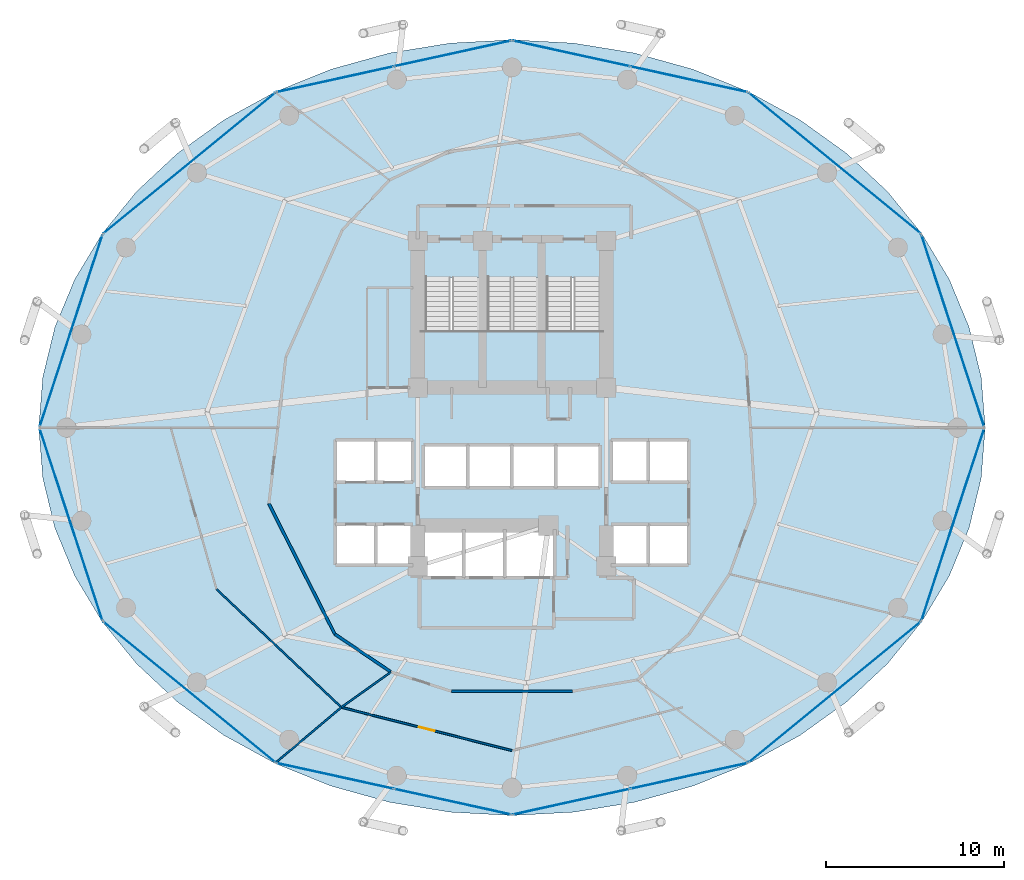
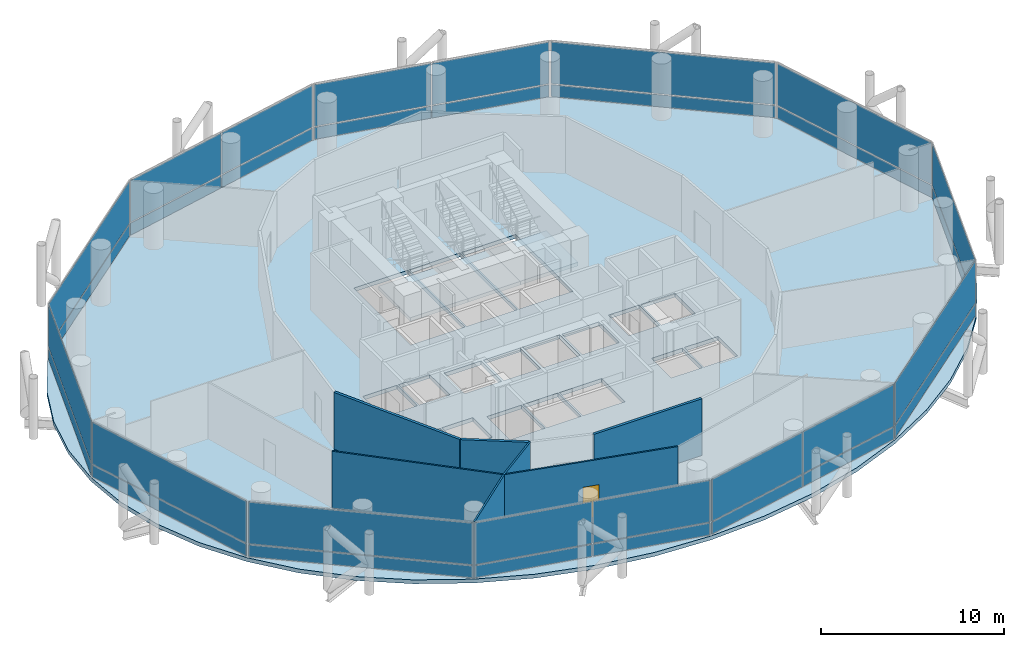
# One storey, part 20 of 24: 32 plates, 7 walls, 4 slabs, 1 door, 1 opening, 15 elements without a shape of their own.
"""IFC4 building model written with IfcOpenShell, lengths in metres."""

from ifc_helpers import new_model, si_unit, direction, frame, frame_2d, origin, origin_2d, place, context, subcontext, project, spatial, polyline, rectangle, outline, extrude, material, layer, layer_set, type_object, element, fill, aggregate, save


model = new_model("IFC4")

# Units and contexts
model_context = context("Model", 3, precision=1e-05, world=origin(), true_north=direction((0.0, 1.0)))
body_context = subcontext(model_context, "Body", "Model", "MODEL_VIEW")
ifc_project = project(units=[si_unit("LENGTHUNIT", "METRE"), si_unit("AREAUNIT", "SQUARE_METRE"), si_unit("VOLUMEUNIT", "CUBIC_METRE"), si_unit("PLANEANGLEUNIT", "RADIAN"), si_unit("MASSUNIT", "GRAM", prefix="KILO")], contexts=[model_context])

# Site, building, storey
site_placement = place(None, origin())
site = spatial("IfcSite", under=ifc_project, at=site_placement, CompositionType="ELEMENT")
building_placement = place(site_placement, origin())
building = spatial("IfcBuilding", under=site, at=building_placement, Name="Nuhasar Tower", CompositionType="ELEMENT")
storey_placement = place(building_placement, frame((0.0, 0.0, 41.25)))
storey = spatial("IfcBuildingStorey", under=building, at=storey_placement, Name="L09", CompositionType="ELEMENT", Elevation=41.25)

# Curtain wall, plate
ifc_material_1 = material(Name="Aluminium 6063-T6", Category="aluminium")
ifc_layer_1 = layer(ifc_material_1, 0.199951171875)
ifc_layer_set_1 = layer_set([ifc_layer_1], Name="Aluminium 6063-T6")
curtain_wall_type = type_object("IfcCurtainWallType", Name="CW-Z1-OFF", PredefinedType="NOTDEFINED", material=ifc_layer_set_1)
curtain_wall_1_placement = place(storey_placement, origin())
curtain_wall_1 = element("IfcCurtainWall", 1, at=curtain_wall_1_placement, inside=storey, type_object=curtain_wall_type, Name="L09 Unitised Curtain Wall 01", PredefinedType="NOTDEFINED")
ifc_material_2 = material(Name="Glass Double Low-E", Category="glass")
ifc_layer_2 = layer(ifc_material_2, 0.028076171875)
ifc_layer_set_2 = layer_set([ifc_layer_2], Name="Glass Double Low-E")
plate_type_1 = type_object("IfcPlateType", Name="CW-PANEL-GLZ", PredefinedType="CURTAIN_PANEL", material=ifc_layer_set_2)
plate_1_placement = place(storey_placement, frame((63.781005859375, 32.239990234375, 0.9326171875), z_axis=(0.0, 0.0, 1.0), x_axis=(-0.310823849997, 0.950467534571, 0.0)))
plate_1 = element("IfcPlate", 2, at=plate_1_placement, type_object=plate_type_1, Name="CW-Z1 panel 1.2", PredefinedType="CURTAIN_PANEL", context=body_context, shape_type="SweptSolid", body=[
    extrude(rectangle(XDim=11.31689453125, YDim=0.028076171875, at=origin_2d()), origin(), (0.0, 0.0, 1.0), 2.79248046875),
])

curtain_wall_2_placement = place(storey_placement, origin())
curtain_wall_2 = element("IfcCurtainWall", 3, at=curtain_wall_2_placement, inside=storey, type_object=curtain_wall_type, Name="L09 Unitised Curtain Wall 02", PredefinedType="NOTDEFINED")
plate_2_placement = place(storey_placement, frame((57.14111328125, 41.66259765625, 0.9326171875), z_axis=(0.0, 0.0, 1.0), x_axis=(-0.773542364946, 0.633744593376, 0.0)))
plate_2 = element("IfcPlate", 4, at=plate_2_placement, type_object=plate_type_1, Name="CW-Z1 panel 1.2", PredefinedType="CURTAIN_PANEL", context=body_context, shape_type="SweptSolid", body=[
    extrude(rectangle(XDim=12.438232421875, YDim=0.028076171875, at=origin_2d()), origin(), (0.0, 0.0, 1.0), 2.79248046875),
])

# Curtain wall, plates
curtain_wall_3_placement = place(storey_placement, origin())
curtain_wall_3 = element("IfcCurtainWall", 5, at=curtain_wall_3_placement, inside=storey, type_object=curtain_wall_type, Name="L09 Unitised Curtain Wall 03", PredefinedType="NOTDEFINED")
plate_3_placement = place(storey_placement, frame((48.944091796875, 46.377197265625, 0.9326171875), z_axis=(0.0, 0.0, 1.0), x_axis=(-0.976746221544, 0.214398737637, 0.0)))
plate_3 = element("IfcPlate", 6, at=plate_3_placement, type_object=plate_type_1, Name="CW-Z1 panel 1.2", PredefinedType="CURTAIN_PANEL", context=body_context, shape_type="SweptSolid", body=[
    extrude(rectangle(XDim=6.70068359375, YDim=0.028076171875, at=origin_2d()), origin(), (0.0, 0.0, 1.0), 2.79248046875),
])
plate_4_placement = place(storey_placement, frame((42.3359375, 47.827880859375, 0.9326171875), z_axis=(0.0, 0.0, 1.0), x_axis=(-0.976746221544, 0.214398737637, 0.0)))
plate_4 = element("IfcPlate", 7, at=plate_4_placement, type_object=plate_type_1, Name="CW-Z1 panel 2.2", PredefinedType="CURTAIN_PANEL", context=body_context, shape_type="SweptSolid", body=[
    extrude(rectangle(XDim=6.70068359375, YDim=0.028076171875, at=origin_2d()), origin(), (0.0, 0.0, 1.0), 2.79248046875),
])

curtain_wall_4_placement = place(storey_placement, origin())
curtain_wall_4 = element("IfcCurtainWall", 8, at=curtain_wall_4_placement, inside=storey, type_object=curtain_wall_type, Name="L09 Unitised Curtain Wall 04", PredefinedType="NOTDEFINED")
plate_5_placement = place(storey_placement, frame((35.6640625, 47.827880859375, 0.9326171875), z_axis=(0.0, 0.0, 1.0), x_axis=(-0.976746221544, -0.214398737637, 0.0)))
plate_5 = element("IfcPlate", 9, at=plate_5_placement, type_object=plate_type_1, Name="CW-Z1 panel 1.2", PredefinedType="CURTAIN_PANEL", context=body_context, shape_type="SweptSolid", body=[
    extrude(rectangle(XDim=6.70068359375, YDim=0.028076171875, at=origin_2d()), origin(), (0.0, 0.0, 1.0), 2.79248046875),
])
plate_6_placement = place(storey_placement, frame((29.055908203125, 46.377197265625, 0.9326171875), z_axis=(0.0, 0.0, 1.0), x_axis=(-0.976746221544, -0.214398737637, 0.0)))
plate_6 = element("IfcPlate", 10, at=plate_6_placement, type_object=plate_type_1, Name="CW-Z1 panel 2.2", PredefinedType="CURTAIN_PANEL", context=body_context, shape_type="SweptSolid", body=[
    extrude(rectangle(XDim=6.70068359375, YDim=0.028076171875, at=origin_2d()), origin(), (0.0, 0.0, 1.0), 2.79248046875),
])

# Curtain wall, plate
curtain_wall_5_placement = place(storey_placement, origin())
curtain_wall_5 = element("IfcCurtainWall", 11, at=curtain_wall_5_placement, inside=storey, type_object=curtain_wall_type, Name="L09 Unitised Curtain Wall 05", PredefinedType="NOTDEFINED")
plate_7_placement = place(storey_placement, frame((20.85888671875, 41.66259765625, 0.9326171875), z_axis=(0.0, 0.0, 1.0), x_axis=(-0.773542364946, -0.633744593376, 0.0)))
plate_7 = element("IfcPlate", 12, at=plate_7_placement, type_object=plate_type_1, Name="CW-Z1 panel 1.2", PredefinedType="CURTAIN_PANEL", context=body_context, shape_type="SweptSolid", body=[
    extrude(rectangle(XDim=12.438232421875, YDim=0.028076171875, at=origin_2d()), origin(), (0.0, 0.0, 1.0), 2.79248046875),
])

curtain_wall_6_placement = place(storey_placement, origin())
curtain_wall_6 = element("IfcCurtainWall", 13, at=curtain_wall_6_placement, inside=storey, type_object=curtain_wall_type, Name="L09 Unitised Curtain Wall 06", PredefinedType="NOTDEFINED")
plate_8_placement = place(storey_placement, frame((14.218994140625, 32.239990234375, 0.9326171875), z_axis=(0.0, 0.0, 1.0), x_axis=(-0.310823849997, -0.950467534571, 0.0)))
plate_8 = element("IfcPlate", 14, at=plate_8_placement, type_object=plate_type_1, Name="CW-Z1 panel 1.2", PredefinedType="CURTAIN_PANEL", context=body_context, shape_type="SweptSolid", body=[
    extrude(rectangle(XDim=11.31689453125, YDim=0.028076171875, at=origin_2d()), origin(), (0.0, 0.0, 1.0), 2.79248046875),
])

curtain_wall_7_placement = place(storey_placement, origin())
curtain_wall_7 = element("IfcCurtainWall", 15, at=curtain_wall_7_placement, inside=storey, type_object=curtain_wall_type, Name="L09 Unitised Curtain Wall 07", PredefinedType="NOTDEFINED")
plate_9_placement = place(storey_placement, frame((14.218994140625, 21.360107421875, 0.9326171875), z_axis=(0.0, 0.0, 1.0), x_axis=(0.310823849997, -0.950467534571, 0.0)))
plate_9 = element("IfcPlate", 16, at=plate_9_placement, type_object=plate_type_1, Name="CW-Z1 panel 1.2", PredefinedType="CURTAIN_PANEL", context=body_context, shape_type="SweptSolid", body=[
    extrude(rectangle(XDim=11.31689453125, YDim=0.028076171875, at=origin_2d()), origin(), (0.0, 0.0, 1.0), 2.79248046875),
])

curtain_wall_8_placement = place(storey_placement, origin())
curtain_wall_8 = element("IfcCurtainWall", 17, at=curtain_wall_8_placement, inside=storey, type_object=curtain_wall_type, Name="L09 Unitised Curtain Wall 08", PredefinedType="NOTDEFINED")
plate_10_placement = place(storey_placement, frame((20.85888671875, 11.9375, 0.9326171875), z_axis=(0.0, 0.0, 1.0), x_axis=(0.773542364946, -0.633744593376, 0.0)))
plate_10 = element("IfcPlate", 18, at=plate_10_placement, type_object=plate_type_1, Name="CW-Z1 panel 1.2", PredefinedType="CURTAIN_PANEL", context=body_context, shape_type="SweptSolid", body=[
    extrude(rectangle(XDim=12.438232421875, YDim=0.028076171875, at=origin_2d()), origin(), (0.0, 0.0, 1.0), 2.79248046875),
])

# Curtain wall, plates
curtain_wall_9_placement = place(storey_placement, origin())
curtain_wall_9 = element("IfcCurtainWall", 19, at=curtain_wall_9_placement, inside=storey, type_object=curtain_wall_type, Name="L09 Unitised Curtain Wall 09", PredefinedType="NOTDEFINED")
plate_11_placement = place(storey_placement, frame((29.055908203125, 7.22265625, 0.9326171875), z_axis=(0.0, 0.0, 1.0), x_axis=(0.976746221544, -0.214398737637, 0.0)))
plate_11 = element("IfcPlate", 20, at=plate_11_placement, type_object=plate_type_1, Name="CW-Z1 panel 1.2", PredefinedType="CURTAIN_PANEL", context=body_context, shape_type="SweptSolid", body=[
    extrude(rectangle(XDim=6.70068359375, YDim=0.028076171875, at=origin_2d()), origin(), (0.0, 0.0, 1.0), 2.79248046875),
])
plate_12_placement = place(storey_placement, frame((35.6640625, 5.772216796875, 0.9326171875), z_axis=(0.0, 0.0, 1.0), x_axis=(0.976746221544, -0.214398737637, 0.0)))
plate_12 = element("IfcPlate", 21, at=plate_12_placement, type_object=plate_type_1, Name="CW-Z1 panel 2.2", PredefinedType="CURTAIN_PANEL", context=body_context, shape_type="SweptSolid", body=[
    extrude(rectangle(XDim=6.70068359375, YDim=0.028076171875, at=origin_2d()), origin(), (0.0, 0.0, 1.0), 2.79248046875),
])

curtain_wall_10_placement = place(storey_placement, origin())
curtain_wall_10 = element("IfcCurtainWall", 22, at=curtain_wall_10_placement, inside=storey, type_object=curtain_wall_type, Name="L09 Unitised Curtain Wall 10", PredefinedType="NOTDEFINED")
plate_13_placement = place(storey_placement, frame((42.3359375, 5.772216796875, 0.9326171875), z_axis=(0.0, 0.0, 1.0), x_axis=(0.976746221544, 0.214398737637, 0.0)))
plate_13 = element("IfcPlate", 23, at=plate_13_placement, type_object=plate_type_1, Name="CW-Z1 panel 1.2", PredefinedType="CURTAIN_PANEL", context=body_context, shape_type="SweptSolid", body=[
    extrude(rectangle(XDim=6.70068359375, YDim=0.028076171875, at=origin_2d()), origin(), (0.0, 0.0, 1.0), 2.79248046875),
])
plate_14_placement = place(storey_placement, frame((48.944091796875, 7.22265625, 0.9326171875), z_axis=(0.0, 0.0, 1.0), x_axis=(0.976746221544, 0.214398737637, 0.0)))
plate_14 = element("IfcPlate", 24, at=plate_14_placement, type_object=plate_type_1, Name="CW-Z1 panel 2.2", PredefinedType="CURTAIN_PANEL", context=body_context, shape_type="SweptSolid", body=[
    extrude(rectangle(XDim=6.70068359375, YDim=0.028076171875, at=origin_2d()), origin(), (0.0, 0.0, 1.0), 2.79248046875),
])

# Curtain wall, plate
curtain_wall_11_placement = place(storey_placement, origin())
curtain_wall_11 = element("IfcCurtainWall", 25, at=curtain_wall_11_placement, inside=storey, type_object=curtain_wall_type, Name="L09 Unitised Curtain Wall 11", PredefinedType="NOTDEFINED")
plate_15_placement = place(storey_placement, frame((57.14111328125, 11.9375, 0.9326171875), z_axis=(0.0, 0.0, 1.0), x_axis=(0.773542364946, 0.633744593376, 0.0)))
plate_15 = element("IfcPlate", 26, at=plate_15_placement, type_object=plate_type_1, Name="CW-Z1 panel 1.2", PredefinedType="CURTAIN_PANEL", context=body_context, shape_type="SweptSolid", body=[
    extrude(rectangle(XDim=12.438232421875, YDim=0.028076171875, at=origin_2d()), origin(), (0.0, 0.0, 1.0), 2.79248046875),
])

curtain_wall_12_placement = place(storey_placement, origin())
curtain_wall_12 = element("IfcCurtainWall", 27, at=curtain_wall_12_placement, inside=storey, type_object=curtain_wall_type, Name="L09 Unitised Curtain Wall 12", PredefinedType="NOTDEFINED")
plate_16_placement = place(storey_placement, frame((63.781005859375, 21.360107421875, 0.9326171875), z_axis=(0.0, 0.0, 1.0), x_axis=(0.310823849997, 0.950467534571, 0.0)))
plate_16 = element("IfcPlate", 28, at=plate_16_placement, type_object=plate_type_1, Name="CW-Z1 panel 1.2", PredefinedType="CURTAIN_PANEL", context=body_context, shape_type="SweptSolid", body=[
    extrude(rectangle(XDim=11.31689453125, YDim=0.028076171875, at=origin_2d()), origin(), (0.0, 0.0, 1.0), 2.79248046875),
])

# Plate
ifc_material_3 = material(Name="Glass Spandrel", Category="glass")
ifc_layer_3 = layer(ifc_material_3, 0.035888671875)
ifc_layer_set_3 = layer_set([ifc_layer_3], Name="Glass Spandrel")
plate_type_2 = type_object("IfcPlateType", Name="CW-PANEL-SPN", PredefinedType="CURTAIN_PANEL", material=ifc_layer_set_3)
plate_17_placement = place(storey_placement, frame((63.781005859375, 32.239990234375, 0.06494140625), z_axis=(0.0, 0.0, 1.0), x_axis=(-0.310823849997, 0.950467534571, 0.0)))
plate_17 = element("IfcPlate", 29, at=plate_17_placement, type_object=plate_type_2, Name="CW-Z1 panel 1.1", PredefinedType="CURTAIN_PANEL", context=body_context, shape_type="SweptSolid", body=[
    extrude(rectangle(XDim=11.31689453125, YDim=0.035888671875, at=origin_2d()), origin(), (0.0, 0.0, 1.0), 0.802490234375),
])

aggregate(curtain_wall_1, [plate_17, plate_1])

plate_18_placement = place(storey_placement, frame((57.14111328125, 41.66259765625, 0.06494140625), z_axis=(0.0, 0.0, 1.0), x_axis=(-0.773542364946, 0.633744593376, 0.0)))
plate_18 = element("IfcPlate", 30, at=plate_18_placement, type_object=plate_type_2, Name="CW-Z1 panel 1.1", PredefinedType="CURTAIN_PANEL", context=body_context, shape_type="SweptSolid", body=[
    extrude(rectangle(XDim=12.438232421875, YDim=0.035888671875, at=origin_2d()), origin(), (0.0, 0.0, 1.0), 0.802490234375),
])

aggregate(curtain_wall_2, [plate_18, plate_2])

plate_19_placement = place(storey_placement, frame((48.944091796875, 46.377197265625, 0.06494140625), z_axis=(0.0, 0.0, 1.0), x_axis=(-0.976746221544, 0.214398737637, 0.0)))
plate_19 = element("IfcPlate", 31, at=plate_19_placement, type_object=plate_type_2, Name="CW-Z1 panel 1.1", PredefinedType="CURTAIN_PANEL", context=body_context, shape_type="SweptSolid", body=[
    extrude(rectangle(XDim=6.70068359375, YDim=0.035888671875, at=origin_2d()), origin(), (0.0, 0.0, 1.0), 0.802490234375),
])

plate_20_placement = place(storey_placement, frame((42.3359375, 47.827880859375, 0.06494140625), z_axis=(0.0, 0.0, 1.0), x_axis=(-0.976746221544, 0.214398737637, 0.0)))
plate_20 = element("IfcPlate", 32, at=plate_20_placement, type_object=plate_type_2, Name="CW-Z1 panel 2.1", PredefinedType="CURTAIN_PANEL", context=body_context, shape_type="SweptSolid", body=[
    extrude(rectangle(XDim=6.70068359375, YDim=0.035888671875, at=origin_2d()), origin(), (0.0, 0.0, 1.0), 0.802490234375),
])

aggregate(curtain_wall_3, [plate_19, plate_3, plate_20, plate_4])

plate_21_placement = place(storey_placement, frame((35.6640625, 47.827880859375, 0.06494140625), z_axis=(0.0, 0.0, 1.0), x_axis=(-0.976746221544, -0.214398737637, 0.0)))
plate_21 = element("IfcPlate", 33, at=plate_21_placement, type_object=plate_type_2, Name="CW-Z1 panel 1.1", PredefinedType="CURTAIN_PANEL", context=body_context, shape_type="SweptSolid", body=[
    extrude(rectangle(XDim=6.70068359375, YDim=0.035888671875, at=origin_2d()), origin(), (0.0, 0.0, 1.0), 0.802490234375),
])

plate_22_placement = place(storey_placement, frame((29.055908203125, 46.377197265625, 0.06494140625), z_axis=(0.0, 0.0, 1.0), x_axis=(-0.976746221544, -0.214398737637, 0.0)))
plate_22 = element("IfcPlate", 34, at=plate_22_placement, type_object=plate_type_2, Name="CW-Z1 panel 2.1", PredefinedType="CURTAIN_PANEL", context=body_context, shape_type="SweptSolid", body=[
    extrude(rectangle(XDim=6.70068359375, YDim=0.035888671875, at=origin_2d()), origin(), (0.0, 0.0, 1.0), 0.802490234375),
])

aggregate(curtain_wall_4, [plate_21, plate_5, plate_22, plate_6])

plate_23_placement = place(storey_placement, frame((20.85888671875, 41.66259765625, 0.06494140625), z_axis=(0.0, 0.0, 1.0), x_axis=(-0.773542364946, -0.633744593376, 0.0)))
plate_23 = element("IfcPlate", 35, at=plate_23_placement, type_object=plate_type_2, Name="CW-Z1 panel 1.1", PredefinedType="CURTAIN_PANEL", context=body_context, shape_type="SweptSolid", body=[
    extrude(rectangle(XDim=12.438232421875, YDim=0.035888671875, at=origin_2d()), origin(), (0.0, 0.0, 1.0), 0.802490234375),
])

aggregate(curtain_wall_5, [plate_23, plate_7])

plate_24_placement = place(storey_placement, frame((14.218994140625, 32.239990234375, 0.06494140625), z_axis=(0.0, 0.0, 1.0), x_axis=(-0.310823849997, -0.950467534571, 0.0)))
plate_24 = element("IfcPlate", 36, at=plate_24_placement, type_object=plate_type_2, Name="CW-Z1 panel 1.1", PredefinedType="CURTAIN_PANEL", context=body_context, shape_type="SweptSolid", body=[
    extrude(rectangle(XDim=11.31689453125, YDim=0.035888671875, at=origin_2d()), origin(), (0.0, 0.0, 1.0), 0.802490234375),
])

aggregate(curtain_wall_6, [plate_24, plate_8])

plate_25_placement = place(storey_placement, frame((14.218994140625, 21.360107421875, 0.06494140625), z_axis=(0.0, 0.0, 1.0), x_axis=(0.310823849997, -0.950467534571, 0.0)))
plate_25 = element("IfcPlate", 37, at=plate_25_placement, type_object=plate_type_2, Name="CW-Z1 panel 1.1", PredefinedType="CURTAIN_PANEL", context=body_context, shape_type="SweptSolid", body=[
    extrude(rectangle(XDim=11.31689453125, YDim=0.035888671875, at=origin_2d()), origin(), (0.0, 0.0, 1.0), 0.802490234375),
])

aggregate(curtain_wall_7, [plate_25, plate_9])

plate_26_placement = place(storey_placement, frame((20.85888671875, 11.9375, 0.06494140625), z_axis=(0.0, 0.0, 1.0), x_axis=(0.773542364946, -0.633744593376, 0.0)))
plate_26 = element("IfcPlate", 38, at=plate_26_placement, type_object=plate_type_2, Name="CW-Z1 panel 1.1", PredefinedType="CURTAIN_PANEL", context=body_context, shape_type="SweptSolid", body=[
    extrude(rectangle(XDim=12.438232421875, YDim=0.035888671875, at=origin_2d()), origin(), (0.0, 0.0, 1.0), 0.802490234375),
])

aggregate(curtain_wall_8, [plate_26, plate_10])

plate_27_placement = place(storey_placement, frame((29.055908203125, 7.22265625, 0.06494140625), z_axis=(0.0, 0.0, 1.0), x_axis=(0.976746221544, -0.214398737637, 0.0)))
plate_27 = element("IfcPlate", 39, at=plate_27_placement, type_object=plate_type_2, Name="CW-Z1 panel 1.1", PredefinedType="CURTAIN_PANEL", context=body_context, shape_type="SweptSolid", body=[
    extrude(rectangle(XDim=6.70068359375, YDim=0.035888671875, at=origin_2d()), origin(), (0.0, 0.0, 1.0), 0.802490234375),
])

plate_28_placement = place(storey_placement, frame((35.6640625, 5.772216796875, 0.06494140625), z_axis=(0.0, 0.0, 1.0), x_axis=(0.976746221544, -0.214398737637, 0.0)))
plate_28 = element("IfcPlate", 40, at=plate_28_placement, type_object=plate_type_2, Name="CW-Z1 panel 2.1", PredefinedType="CURTAIN_PANEL", context=body_context, shape_type="SweptSolid", body=[
    extrude(rectangle(XDim=6.70068359375, YDim=0.035888671875, at=origin_2d()), origin(), (0.0, 0.0, 1.0), 0.802490234375),
])

aggregate(curtain_wall_9, [plate_27, plate_11, plate_28, plate_12])

plate_29_placement = place(storey_placement, frame((42.3359375, 5.772216796875, 0.06494140625), z_axis=(0.0, 0.0, 1.0), x_axis=(0.976746221544, 0.214398737637, 0.0)))
plate_29 = element("IfcPlate", 41, at=plate_29_placement, type_object=plate_type_2, Name="CW-Z1 panel 1.1", PredefinedType="CURTAIN_PANEL", context=body_context, shape_type="SweptSolid", body=[
    extrude(rectangle(XDim=6.70068359375, YDim=0.035888671875, at=origin_2d()), origin(), (0.0, 0.0, 1.0), 0.802490234375),
])

plate_30_placement = place(storey_placement, frame((48.944091796875, 7.22265625, 0.06494140625), z_axis=(0.0, 0.0, 1.0), x_axis=(0.976746221544, 0.214398737637, 0.0)))
plate_30 = element("IfcPlate", 42, at=plate_30_placement, type_object=plate_type_2, Name="CW-Z1 panel 2.1", PredefinedType="CURTAIN_PANEL", context=body_context, shape_type="SweptSolid", body=[
    extrude(rectangle(XDim=6.70068359375, YDim=0.035888671875, at=origin_2d()), origin(), (0.0, 0.0, 1.0), 0.802490234375),
])

aggregate(curtain_wall_10, [plate_29, plate_13, plate_30, plate_14])

plate_31_placement = place(storey_placement, frame((57.14111328125, 11.9375, 0.06494140625), z_axis=(0.0, 0.0, 1.0), x_axis=(0.773542364946, 0.633744593376, 0.0)))
plate_31 = element("IfcPlate", 43, at=plate_31_placement, type_object=plate_type_2, Name="CW-Z1 panel 1.1", PredefinedType="CURTAIN_PANEL", context=body_context, shape_type="SweptSolid", body=[
    extrude(rectangle(XDim=12.438232421875, YDim=0.035888671875, at=origin_2d()), origin(), (0.0, 0.0, 1.0), 0.802490234375),
])

aggregate(curtain_wall_11, [plate_31, plate_15])

plate_32_placement = place(storey_placement, frame((63.781005859375, 21.360107421875, 0.06494140625), z_axis=(0.0, 0.0, 1.0), x_axis=(0.310823849997, 0.950467534571, 0.0)))
plate_32 = element("IfcPlate", 44, at=plate_32_placement, type_object=plate_type_2, Name="CW-Z1 panel 1.1", PredefinedType="CURTAIN_PANEL", context=body_context, shape_type="SweptSolid", body=[
    extrude(rectangle(XDim=11.31689453125, YDim=0.035888671875, at=origin_2d()), origin(), (0.0, 0.0, 1.0), 0.802490234375),
])

aggregate(curtain_wall_12, [plate_32, plate_16])

# Stair, slab
ifc_material_4 = material(Name="Concrete C45/55", Category="concrete")
stair_type_1 = type_object("IfcStairType", Name="STR-ST-01-2F-24R-1688", PredefinedType="HALF_TURN_STAIR", material=ifc_material_4)
stair_1_placement = place(storey_placement, origin())
stair_1 = element("IfcStair", 45, at=stair_1_placement, inside=storey, type_object=stair_type_1, Name="L09 Exit Stair ST-01", PredefinedType="HALF_TURN_STAIR")
ifc_layer_4 = layer(ifc_material_4, 0.239990234375)
ifc_layer_set_4 = layer_set([ifc_layer_4], Name="Concrete C45/55")
slab_type_1 = type_object("IfcSlabType", Name="SLB-STAIR-LND-240", PredefinedType="LANDING", material=ifc_layer_set_4)
slab_1_placement = place(storey_placement, frame((0.0, 0.0, 1.784912109375)))
slab_1 = element("IfcSlab", 46, at=slab_1_placement, type_object=slab_type_1, Name="ST-01 landing 1", PredefinedType="LANDING", context=body_context, shape_type="SweptSolid", body=[
    extrude(outline(polyline([(33.699951171875, 28.75), (37.35009765625, 28.75), (37.35009765625, 32.239990234375), (33.699951171875, 32.239990234375), (33.699951171875, 28.75)])), origin(), (0.0, 0.0, 1.0), 0.239990234375),
])
aggregate(stair_1, [slab_1])

stair_type_2 = type_object("IfcStairType", Name="STR-ST-03-2F-24R-1688", PredefinedType="HALF_TURN_STAIR", material=ifc_material_4)
stair_2_placement = place(storey_placement, origin())
stair_2 = element("IfcStair", 47, at=stair_2_placement, inside=storey, type_object=stair_type_2, Name="L09 Exit Stair ST-03", PredefinedType="HALF_TURN_STAIR")
slab_2_placement = place(storey_placement, frame((0.0, 0.0, 1.784912109375)))
slab_2 = element("IfcSlab", 48, at=slab_2_placement, type_object=slab_type_1, Name="ST-03 landing 1", PredefinedType="LANDING", context=body_context, shape_type="SweptSolid", body=[
    extrude(outline(polyline([(37.35009765625, 28.75), (40.64990234375, 28.75), (40.64990234375, 32.239990234375), (37.35009765625, 32.239990234375), (37.35009765625, 28.75)])), origin(), (0.0, 0.0, 1.0), 0.239990234375),
])
aggregate(stair_2, [slab_2])

stair_type_3 = type_object("IfcStairType", Name="STR-ST-02-2F-24R-1688", PredefinedType="HALF_TURN_STAIR", material=ifc_material_4)
stair_3_placement = place(storey_placement, origin())
stair_3 = element("IfcStair", 49, at=stair_3_placement, inside=storey, type_object=stair_type_3, Name="L09 Exit Stair ST-02", PredefinedType="HALF_TURN_STAIR")
slab_3_placement = place(storey_placement, frame((0.0, 0.0, 1.784912109375)))
slab_3 = element("IfcSlab", 50, at=slab_3_placement, type_object=slab_type_1, Name="ST-02 landing 1", PredefinedType="LANDING", context=body_context, shape_type="SweptSolid", body=[
    extrude(outline(polyline([(40.64990234375, 28.75), (44.300048828125, 28.75), (44.300048828125, 32.239990234375), (40.64990234375, 32.239990234375), (40.64990234375, 28.75)])), origin(), (0.0, 0.0, 1.0), 0.239990234375),
])
aggregate(stair_3, [slab_3])

# Slab
ifc_material_5 = material(Name="Concrete C50/60", Category="concrete")
ifc_layer_5 = layer(ifc_material_5, 0.260009765625)
ifc_layer_set_5 = layer_set([ifc_layer_5], Name="Concrete C50/60")
slab_type_2 = type_object("IfcSlabType", Name="SLB-Z1A-260", PredefinedType="FLOOR", material=ifc_layer_set_5)
slab_4_placement = place(storey_placement, frame((0.0, 0.0, -0.260009765625)))
element("IfcSlab", 51, at=slab_4_placement, inside=storey, type_object=slab_type_2, Name="L09 Structural Slab", PredefinedType="FLOOR", context=body_context, shape_type="SweptSolid", body=[
    extrude(outline(polyline([(65.60009765625, 26.800048828125), (65.3720703125, 29.64501953125), (64.694091796875, 32.44189453125), (63.574951171875, 35.14208984375), (62.035888671875, 37.699951171875), (60.10302734375, 40.071044921875), (57.80908203125, 42.215087890625), (55.193115234375, 44.094970703125), (52.300048828125, 45.678955078125), (49.178955078125, 46.94091796875), (45.885009765625, 47.85693359375), (42.471923828125, 48.4130859375), (39.0, 48.60009765625), (35.528076171875, 48.4130859375), (32.114990234375, 47.85693359375), (28.821044921875, 46.94091796875), (25.699951171875, 45.678955078125), (22.806884765625, 44.094970703125), (20.19091796875, 42.215087890625), (17.89697265625, 40.071044921875), (15.964111328125, 37.699951171875), (14.425048828125, 35.14208984375), (13.305908203125, 32.44189453125), (12.6279296875, 29.64501953125), (12.39990234375, 26.800048828125), (12.6279296875, 23.955078125), (13.305908203125, 21.157958984375), (14.425048828125, 18.4580078125), (15.964111328125, 15.89990234375), (17.89697265625, 13.529052734375), (20.19091796875, 11.385009765625), (22.806884765625, 9.5048828125), (25.699951171875, 7.9208984375), (28.821044921875, 6.658935546875), (32.114990234375, 5.742919921875), (35.528076171875, 5.18701171875), (39.0, 5.0), (42.471923828125, 5.18701171875), (45.885009765625, 5.742919921875), (49.178955078125, 6.658935546875), (52.300048828125, 7.9208984375), (55.193115234375, 9.5048828125), (57.80908203125, 11.385009765625), (60.10302734375, 13.529052734375), (62.035888671875, 15.89990234375), (63.574951171875, 18.4580078125), (64.694091796875, 21.157958984375), (65.3720703125, 23.955078125), (65.60009765625, 26.800048828125)]), holes=[polyline([(33.8798828125, 35.25), (37.300048828125, 35.25), (37.300048828125, 29.0), (33.8798828125, 29.0), (33.8798828125, 35.25)]), polyline([(37.39990234375, 35.25), (40.60009765625, 35.25), (40.60009765625, 29.0), (37.39990234375, 29.0), (37.39990234375, 35.25)]), polyline([(40.699951171875, 35.25), (44.1201171875, 35.25), (44.1201171875, 29.0), (40.699951171875, 29.0), (40.699951171875, 35.25)]), polyline([(29.14990234375, 26.050048828125), (31.300048828125, 26.050048828125), (31.300048828125, 23.800048828125), (29.14990234375, 23.800048828125), (29.14990234375, 26.050048828125)]), polyline([(31.39990234375, 26.050048828125), (33.35009765625, 26.050048828125), (33.35009765625, 23.800048828125), (31.39990234375, 23.800048828125), (31.39990234375, 26.050048828125)]), polyline([(29.14990234375, 21.300048828125), (31.300048828125, 21.300048828125), (31.300048828125, 19.14990234375), (29.14990234375, 19.14990234375), (29.14990234375, 21.300048828125)]), polyline([(31.39990234375, 21.300048828125), (33.35009765625, 21.300048828125), (33.35009765625, 19.14990234375), (31.39990234375, 19.14990234375), (31.39990234375, 21.300048828125)]), polyline([(44.64990234375, 26.050048828125), (46.60009765625, 26.050048828125), (46.60009765625, 23.800048828125), (44.64990234375, 23.800048828125), (44.64990234375, 26.050048828125)]), polyline([(46.699951171875, 26.050048828125), (48.85009765625, 26.050048828125), (48.85009765625, 23.800048828125), (46.699951171875, 23.800048828125), (46.699951171875, 26.050048828125)]), polyline([(44.64990234375, 21.300048828125), (46.60009765625, 21.300048828125), (46.60009765625, 19.14990234375), (44.64990234375, 19.14990234375), (44.64990234375, 21.300048828125)]), polyline([(46.699951171875, 21.300048828125), (48.85009765625, 21.300048828125), (48.85009765625, 19.14990234375), (46.699951171875, 19.14990234375), (46.699951171875, 21.300048828125)]), polyline([(34.10009765625, 25.75), (36.43994140625, 25.75), (36.43994140625, 23.5), (34.10009765625, 23.5), (34.10009765625, 25.75)]), polyline([(36.580078125, 25.75), (38.919921875, 25.75), (38.919921875, 23.5), (36.580078125, 23.5), (36.580078125, 25.75)]), polyline([(39.06005859375, 25.75), (41.39990234375, 25.75), (41.39990234375, 23.5), (39.06005859375, 23.5), (39.06005859375, 25.75)]), polyline([(41.5400390625, 25.75), (43.8798828125, 25.75), (43.8798828125, 23.5), (41.5400390625, 23.5), (41.5400390625, 25.75)]), polyline([(34.050048828125, 21.0), (36.25, 21.0), (36.25, 18.449951171875), (34.050048828125, 18.449951171875), (34.050048828125, 21.0)]), polyline([(36.35009765625, 21.0), (38.550048828125, 21.0), (38.550048828125, 18.449951171875), (36.35009765625, 18.449951171875), (36.35009765625, 21.0)]), polyline([(38.64990234375, 21.0), (41.320068359375, 21.0), (41.320068359375, 18.449951171875), (38.64990234375, 18.449951171875), (38.64990234375, 21.0)])]), origin(), (0.0, 0.0, 1.0), 0.260009765625),
])

# Walls
ifc_material_6 = material(Name="Gypsum Board", Category="gypsum")
ifc_layer_6 = layer(ifc_material_6, 0.159912109375)
ifc_layer_set_6 = layer_set([ifc_layer_6], Name="Gypsum Board")
wall_type_1 = type_object("IfcWallType", Name="WL-CORR-160", PredefinedType="PARTITIONING", material=ifc_layer_set_6)
wall_1_placement = place(storey_placement, frame((25.3330078125, 22.531982421875, 0.0), z_axis=(0.0, 0.0, 1.0), x_axis=(0.451199750168, -0.892422985724, 0.0)))
element("IfcWall", 52, at=wall_1_placement, inside=storey, type_object=wall_type_1, Name="L09 Interior Partition CORR-26", PredefinedType="PARTITIONING", context=body_context, shape_type="SweptSolid", body=[
    extrude(rectangle(XDim=8.222412109375, YDim=0.159912109375, at=frame_2d((4.111328125, 0.0))), origin(), (0.0, 0.0, 1.0), 3.7900390625),
])
wall_2_placement = place(storey_placement, frame((29.04296875, 15.194091796875, 0.0), z_axis=(0.0, 0.0, 1.0), x_axis=(0.829146824345, -0.559030896891, 0.0)))
element("IfcWall", 53, at=wall_2_placement, inside=storey, type_object=wall_type_1, Name="L09 Interior Partition CORR-30", PredefinedType="PARTITIONING", context=body_context, shape_type="SweptSolid", body=[
    extrude(rectangle(XDim=3.80517578125, YDim=0.159912109375, at=frame_2d((1.902587890625, 0.0))), origin(), (0.0, 0.0, 1.0), 3.7900390625),
])
wall_3_placement = place(storey_placement, frame((35.593994140625, 11.98291015625, 0.0), z_axis=(0.0, 0.0, 1.0), x_axis=(1.0, 0.0, 0.0)))
element("IfcWall", 54, at=wall_3_placement, inside=storey, type_object=wall_type_1, Name="L09 Interior Partition CORR-34", PredefinedType="PARTITIONING", context=body_context, shape_type="SweptSolid", body=[
    extrude(rectangle(XDim=6.81201171875, YDim=0.159912109375, at=frame_2d((3.406005859375, 0.0))), origin(), (0.0, 0.0, 1.0), 3.7900390625),
])
ifc_layer_7 = layer(ifc_material_1, 0.10009765625)
ifc_layer_set_7 = layer_set([ifc_layer_7], Name="Aluminium 6063-T6")
wall_type_2 = type_object("IfcWallType", Name="WL-MOVABLE-100", PredefinedType="MOVABLE", material=ifc_layer_set_7)
wall_4_placement = place(storey_placement, frame((22.386962890625, 17.72412109375, 0.0), z_axis=(0.0, 0.0, 1.0), x_axis=(0.726336179962, -0.687339620332, 0.0)))
element("IfcWall", 55, at=wall_4_placement, inside=storey, type_object=wall_type_2, Name="L09 Interior Partition OMID-03-28", PredefinedType="MOVABLE", context=body_context, shape_type="SweptSolid", body=[
    extrude(rectangle(XDim=9.666259765625, YDim=0.10009765625, at=frame_2d((4.8330078125, 0.0))), origin(), (0.0, 0.0, 1.0), 3.7900390625),
])
wall_5_placement = place(storey_placement, frame((32.197998046875, 13.06689453125, 0.0), z_axis=(0.0, 0.0, 1.0), x_axis=(-0.814570629384, -0.580064384138, 0.0)))
element("IfcWall", 56, at=wall_5_placement, inside=storey, type_object=wall_type_2, Name="L09 Interior Partition ORAD-32-S1", PredefinedType="MOVABLE", context=body_context, shape_type="SweptSolid", body=[
    extrude(rectangle(XDim=3.425048828125, YDim=0.10009765625, at=frame_2d((1.71240234375, 0.0))), origin(), (0.0, 0.0, 1.0), 3.7900390625),
])
wall_6_placement = place(storey_placement, frame((29.407958984375, 11.080078125, 0.0), z_axis=(0.0, 0.0, 1.0), x_axis=(-0.764632874987, -0.644466109651, 0.0)))
element("IfcWall", 57, at=wall_6_placement, inside=storey, type_object=wall_type_2, Name="L09 Interior Partition ORAD-32-S2", PredefinedType="MOVABLE", context=body_context, shape_type="SweptSolid", body=[
    extrude(rectangle(XDim=4.80078125, YDim=0.10009765625, at=frame_2d((2.400390625, 0.0))), origin(), (0.0, 0.0, 1.0), 3.7900390625),
])

# Wall, opening, door
wall_7_placement = place(storey_placement, frame((39.0, 8.64794921875, 0.0), z_axis=(0.0, 0.0, 1.0), x_axis=(-0.96932580987, 0.245779320368, 0.0)))
wall_7 = element("IfcWall", 58, at=wall_7_placement, inside=storey, type_object=wall_type_2, Name="L09 Interior Partition OMID-04-32", PredefinedType="MOVABLE", context=body_context, shape_type="SweptSolid", body=[
    extrude(rectangle(XDim=9.8955078125, YDim=0.10009765625, at=frame_2d((4.94775390625, 0.0))), origin(), (0.0, 0.0, 1.0), 3.7900390625),
])
opening_placement = place(wall_7_placement, frame((4.498046875, 0.0, 0.0)))
opening = element("IfcOpeningElement", 59, at=opening_placement, cuts=wall_7, Name="Opening DR-01", PredefinedType="OPENING", context=body_context, shape_type="SweptSolid", body=[
    extrude(rectangle(XDim=0.89990234375, YDim=2.10009765625, at=frame_2d((0.449951171875, 1.050048828125))), frame((0.0, 0.06005859375, 0.0), z_axis=(0.0, -1.0, 0.0), x_axis=(1.0, 0.0, 0.0)), (0.0, 0.0, 1.0), 0.1201171875),
])
ifc_material_7 = material(Name="Timber Oak", Category="wood")
door_type = type_object("IfcDoorType", Name="DR-ROOM-900", OperationType="NOTDEFINED", PredefinedType="DOOR", material=ifc_material_7)
door_placement = place(opening_placement, origin())
door = element("IfcDoor", 60, at=door_placement, inside=storey, type_object=door_type, Name="L09 South-Central Advisory Office Inner Door", OperationType="SINGLE_SWING_LEFT", OverallHeight=2.10009765625, OverallWidth=0.89990234375, PredefinedType="DOOR", context=body_context, shape_type="SweptSolid", body=[
    extrude(rectangle(XDim=0.89990234375, YDim=2.10009765625, at=frame_2d((0.449951171875, 1.050048828125))), frame((0.0, 0.02490234375, 0.0), z_axis=(0.0, -1.0, 0.0), x_axis=(1.0, 0.0, 0.0)), (0.0, 0.0, 1.0), 0.050048828125),
])
fill(opening, door)

save(model, "model.ifc")
